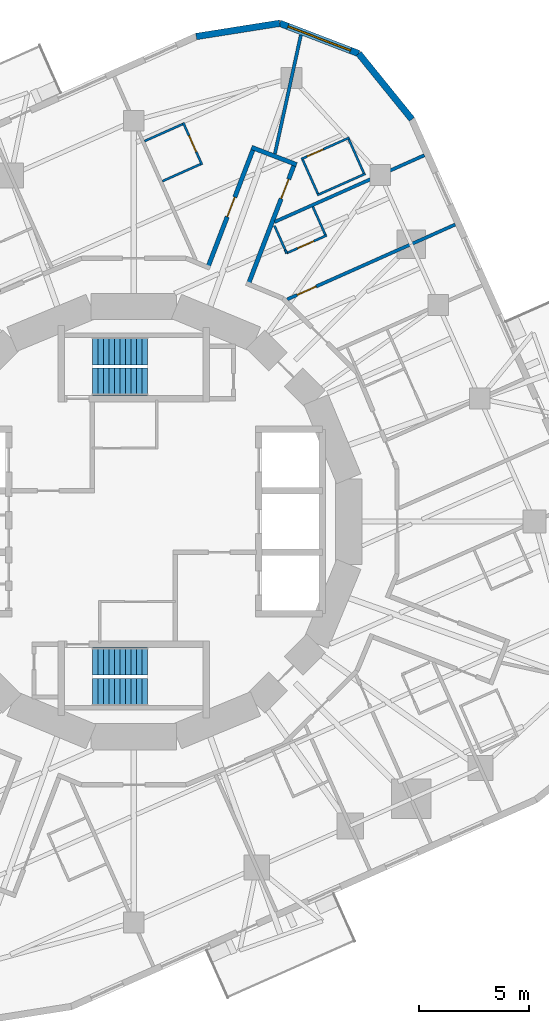
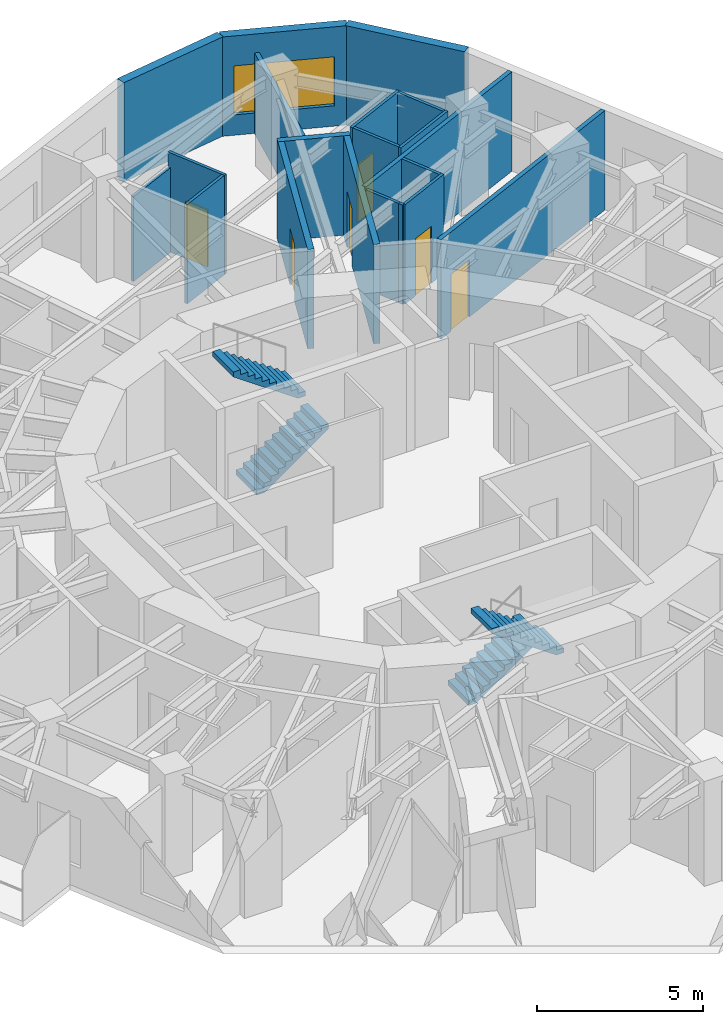
# One storey, part 10 of 12: 20 walls, 6 doors, 4 stair flights, 1 window, 7 openings, 2 elements without a shape of their own.
"""IFC4 building model written with IfcOpenShell, lengths in metres."""

from ifc_helpers import new_model, si_unit, direction, frame, frame_2d, origin, place, context, subcontext, project, spatial, polyline, rectangle, outline, extrude, material, layer, layer_set, type_object, element, fill, aggregate, save


model = new_model("IFC4")

# Units and contexts
model_context = context("Model", 3, precision=1e-05, world=origin(), true_north=direction((0.0, 1.0)))
body_context = subcontext(model_context, "Body", "Model", "MODEL_VIEW")
ifc_project = project(units=[si_unit("LENGTHUNIT", "METRE"), si_unit("AREAUNIT", "SQUARE_METRE"), si_unit("VOLUMEUNIT", "CUBIC_METRE"), si_unit("PLANEANGLEUNIT", "RADIAN"), si_unit("MASSUNIT", "GRAM", prefix="KILO")], contexts=[model_context])

# Site, building, storey
site_placement = place(None, origin())
site = spatial("IfcSite", under=ifc_project, at=site_placement, CompositionType="ELEMENT")
building_placement = place(site_placement, origin())
building = spatial("IfcBuilding", under=site, at=building_placement, Name="Nakasero Lantern House", CompositionType="ELEMENT")
storey_placement = place(building_placement, frame((0.0, 0.0, 201.699951171875)))
storey = spatial("IfcBuildingStorey", under=building, at=storey_placement, Name="L49", CompositionType="ELEMENT", Elevation=201.699951171875)

# Wall, opening, door
ifc_material_1 = material(Name="Blockwork", Category="masonry")
ifc_layer_1 = layer(ifc_material_1, 0.199951171875)
ifc_layer_set_1 = layer_set([ifc_layer_1], Name="Corridor wall 200")
wall_type_1 = type_object("IfcWallType", Name="Corridor wall 200", PredefinedType="PARTITIONING", material=ifc_layer_set_1)
wall_1_placement = place(storey_placement, frame((5.22900390625, 10.831298828125, 0.0), z_axis=(0.0, 0.0, 1.0), x_axis=(0.358357154711, 0.933584570174, 0.0)))
wall_1 = element("IfcWall", 1, at=wall_1_placement, inside=storey, type_object=wall_type_1, Name="Corridor wall L49 SP0a", PredefinedType="PARTITIONING", context=body_context, shape_type="SweptSolid", body=[
    extrude(rectangle(XDim=5.97216796875, YDim=0.199951171875, at=frame_2d((2.986083984375, 0.0))), origin(), (0.0, 0.0, 1.0), 3.650146484375),
])
opening_1_placement = place(wall_1_placement, frame((4.169921875, 0.0, 0.0)))
opening_1 = element("IfcOpeningElement", 2, at=opening_1_placement, cuts=wall_1, Name="Opening D01", PredefinedType="OPENING", context=body_context, shape_type="SweptSolid", body=[
    extrude(rectangle(XDim=0.949951171875, YDim=2.10009765625, at=frame_2d((0.47509765625, 1.050048828125))), frame((0.0, 0.119873046875, 0.0), z_axis=(0.0, -1.0, 0.0), x_axis=(1.0, 0.0, 0.0)), (0.0, 0.0, 1.0), 0.239990234375),
])
ifc_material_2 = material(Name="Timber C24", Category="wood")
door_type_1 = type_object("IfcDoorType", Name="Bedroom door FD30S 950", OperationType="SINGLE_SWING_LEFT", PredefinedType="DOOR", material=ifc_material_2)
door_1_placement = place(opening_1_placement, origin())
door_1 = element("IfcDoor", 3, at=door_1_placement, inside=storey, type_object=door_type_1, Name="Door L49 D0-06", OperationType="SINGLE_SWING_RIGHT", OverallHeight=2.10009765625, OverallWidth=0.949951171875, PredefinedType="DOOR", context=body_context, shape_type="SweptSolid", body=[
    extrude(rectangle(XDim=0.949951171875, YDim=2.10009765625, at=frame_2d((0.47509765625, 1.050048828125))), frame((0.0, 0.02490234375, 0.0), z_axis=(0.0, -1.0, 0.0), x_axis=(1.0, 0.0, 0.0)), (0.0, 0.0, 1.0), 0.050048828125),
])
fill(opening_1, door_1)

wall_2_placement = place(storey_placement, frame((3.380615234375, 11.596923828125, 0.0), z_axis=(0.0, 0.0, 1.0), x_axis=(0.358362690674, 0.933582445172, 0.0)))
wall_2 = element("IfcWall", 4, at=wall_2_placement, inside=storey, type_object=wall_type_1, Name="Corridor wall L49 SP0b", PredefinedType="PARTITIONING", context=body_context, shape_type="SweptSolid", body=[
    extrude(rectangle(XDim=5.91943359375, YDim=0.199951171875, at=frame_2d((2.959716796875, 0.0))), origin(), (0.0, 0.0, 1.0), 3.650146484375),
])
opening_2_placement = place(wall_2_placement, frame((2.469970703125, 0.0, 0.0)))
opening_2 = element("IfcOpeningElement", 5, at=opening_2_placement, cuts=wall_2, Name="Opening D01", PredefinedType="OPENING", context=body_context, shape_type="SweptSolid", body=[
    extrude(rectangle(XDim=0.949951171875, YDim=2.10009765625, at=frame_2d((0.47509765625, 1.050048828125))), frame((0.0, 0.119873046875, 0.0), z_axis=(0.0, -1.0, 0.0), x_axis=(1.0, 0.0, 0.0)), (0.0, 0.0, 1.0), 0.239990234375),
])
door_2_placement = place(opening_2_placement, origin())
door_2 = element("IfcDoor", 6, at=door_2_placement, inside=storey, type_object=door_type_1, Name="Door L49 D1-00", OperationType="SINGLE_SWING_LEFT", OverallHeight=2.10009765625, OverallWidth=0.949951171875, PredefinedType="DOOR", context=body_context, shape_type="SweptSolid", body=[
    extrude(rectangle(XDim=0.949951171875, YDim=2.10009765625, at=frame_2d((0.47509765625, 1.050048828125))), frame((0.0, 0.02490234375, 0.0), z_axis=(0.0, -1.0, 0.0), x_axis=(1.0, 0.0, 0.0)), (0.0, 0.0, 1.0), 0.050048828125),
])
fill(opening_2, door_2)

# Wall
wall_3_placement = place(storey_placement, frame((7.426513671875, 16.277587890625, 0.0), z_axis=(0.0, 0.0, 1.0), x_axis=(-0.933582812604, 0.358361733464, 0.0)))
element("IfcWall", 7, at=wall_3_placement, inside=storey, type_object=wall_type_1, Name="Corridor wall L49 SP0e", PredefinedType="PARTITIONING", context=body_context, shape_type="SweptSolid", body=[
    extrude(rectangle(XDim=2.19970703125, YDim=0.199951171875, at=frame_2d((1.099853515625, 0.0))), origin(), (0.0, 0.0, 1.0), 3.650146484375),
])

# Wall, opening, door
ifc_material_3 = material(Name="Blockwork", Category="masonry")
ifc_layer_2 = layer(ifc_material_3, 0.10009765625)
ifc_layer_set_2 = layer_set([ifc_layer_2], Name="En-suite wall 100")
wall_type_2 = type_object("IfcWallType", Name="En-suite wall 100", PredefinedType="PARTITIONING", material=ifc_layer_set_2)
wall_4_placement = place(storey_placement, frame((6.974853515625, 12.23974609375, 0.0), z_axis=(0.0, 0.0, 1.0), x_axis=(0.913549606868, 0.406727323635, 0.0)))
wall_4 = element("IfcWall", 8, at=wall_4_placement, inside=storey, type_object=wall_type_2, Name="En-suite wall L49 ES0-05", PredefinedType="PARTITIONING", context=body_context, shape_type="SweptSolid", body=[
    extrude(rectangle(XDim=2.0, YDim=0.10009765625, at=frame_2d((1.0, 0.0))), origin(), (0.0, 0.0, 1.0), 3.650146484375),
])
opening_3_placement = place(wall_4_placement, frame((0.550048828125, 0.0, 0.0)))
opening_3 = element("IfcOpeningElement", 9, at=opening_3_placement, cuts=wall_4, Name="Opening D02", PredefinedType="OPENING", context=body_context, shape_type="SweptSolid", body=[
    extrude(rectangle(XDim=0.800048828125, YDim=2.10009765625, at=frame_2d((0.39990234375, 1.050048828125))), frame((0.0, 0.070068359375, 0.0), z_axis=(0.0, -1.0, 0.0), x_axis=(1.0, 0.0, 0.0)), (0.0, 0.0, 1.0), 0.14013671875),
])
ifc_material_4 = material(Name="Timber C24", Category="wood")
door_type_2 = type_object("IfcDoorType", Name="En-suite door 800", OperationType="SINGLE_SWING_RIGHT", PredefinedType="DOOR", material=ifc_material_4)
door_3_placement = place(opening_3_placement, origin())
door_3 = element("IfcDoor", 10, at=door_3_placement, inside=storey, type_object=door_type_2, Name="Door L49 DE0-05", OperationType="SINGLE_SWING_LEFT", OverallHeight=2.10009765625, OverallWidth=0.800048828125, PredefinedType="DOOR", context=body_context, shape_type="SweptSolid", body=[
    extrude(rectangle(XDim=0.800048828125, YDim=2.10009765625, at=frame_2d((0.39990234375, 1.050048828125))), frame((0.0, 0.02490234375, 0.0), z_axis=(0.0, -1.0, 0.0), x_axis=(1.0, 0.0, 0.0)), (0.0, 0.0, 1.0), 0.050048828125),
])
fill(opening_3, door_3)

# Wall
wall_5_placement = place(storey_placement, frame((8.736083984375, 13.07861328125, 0.0), z_axis=(0.0, 0.0, 1.0), x_axis=(-0.406801678348, 0.9135164993, 0.0)))
element("IfcWall", 11, at=wall_5_placement, inside=storey, type_object=wall_type_2, Name="En-suite wall L49 EE0-05", PredefinedType="PARTITIONING", context=body_context, shape_type="SweptSolid", body=[
    extrude(rectangle(XDim=1.400146484375, YDim=0.10009765625, at=frame_2d((0.7001953125, 0.0))), origin(), (0.0, 0.0, 1.0), 3.650146484375),
])

# Wall, opening, door
wall_6_placement = place(storey_placement, frame((7.63720703125, 16.530029296875, 0.0), z_axis=(0.0, 0.0, 1.0), x_axis=(0.913513461389, 0.406808500233, 0.0)))
wall_6 = element("IfcWall", 12, at=wall_6_placement, inside=storey, type_object=wall_type_2, Name="En-suite wall L49 ES0-06", PredefinedType="PARTITIONING", context=body_context, shape_type="SweptSolid", body=[
    extrude(rectangle(XDim=2.39990234375, YDim=0.10009765625, at=frame_2d((1.199951171875, 0.0))), origin(), (0.0, 0.0, 1.0), 3.650146484375),
])
opening_4_placement = place(wall_6_placement, frame((0.300048828125, 0.0, 0.0)))
opening_4 = element("IfcOpeningElement", 13, at=opening_4_placement, cuts=wall_6, Name="Opening D02", PredefinedType="OPENING", context=body_context, shape_type="SweptSolid", body=[
    extrude(rectangle(XDim=0.800048828125, YDim=2.10009765625, at=frame_2d((0.39990234375, 1.050048828125))), frame((0.0, 0.070068359375, 0.0), z_axis=(0.0, -1.0, 0.0), x_axis=(1.0, 0.0, 0.0)), (0.0, 0.0, 1.0), 0.14013671875),
])
door_4_placement = place(opening_4_placement, origin())
door_4 = element("IfcDoor", 14, at=door_4_placement, inside=storey, type_object=door_type_2, Name="Door L49 DE0-06", OperationType="SINGLE_SWING_LEFT", OverallHeight=2.10009765625, OverallWidth=0.800048828125, PredefinedType="DOOR", context=body_context, shape_type="SweptSolid", body=[
    extrude(rectangle(XDim=0.800048828125, YDim=2.10009765625, at=frame_2d((0.39990234375, 1.050048828125))), frame((0.0, 0.02490234375, 0.0), z_axis=(0.0, -1.0, 0.0), x_axis=(1.0, 0.0, 0.0)), (0.0, 0.0, 1.0), 0.050048828125),
])
fill(opening_4, door_4)

# Walls
wall_7_placement = place(storey_placement, frame((8.369384765625, 14.8857421875, 0.0), z_axis=(0.0, 0.0, 1.0), x_axis=(0.913551263516, 0.406723602621, 0.0)))
element("IfcWall", 15, at=wall_7_placement, inside=storey, type_object=wall_type_2, Name="En-suite wall L49 EV0-06", PredefinedType="PARTITIONING", context=body_context, shape_type="SweptSolid", body=[
    extrude(rectangle(XDim=2.39990234375, YDim=0.10009765625, at=frame_2d((1.199951171875, 0.0))), origin(), (0.0, 0.0, 1.0), 3.650146484375),
])
for number, where, z_axis, x_axis, name in (
    (16, (10.495849609375, 15.88720703125, 0.0), (0.0, 0.0, 1.0), (-0.406724697108, 0.913550776237, 0.0), "En-suite wall L49 EE0-06"),
    (17, (8.39453125, 14.95166015625, 0.0), (0.0, 0.0, 1.0), (-0.406724697108, 0.913550776237, 0.0), "En-suite wall L49 EI0-06"),
):
    element("IfcWall", number, at=place(storey_placement, frame(where, z_axis=z_axis, x_axis=x_axis)), inside=storey, type_object=wall_type_2, Name=name, PredefinedType="PARTITIONING", context=body_context, shape_type="SweptSolid", body=[
        extrude(rectangle(XDim=1.699951171875, YDim=0.10009765625, at=frame_2d((0.85009765625, 0.0))), origin(), (0.0, 0.0, 1.0), 3.650146484375),
    ])

# Wall, opening, door
wall_8_placement = place(storey_placement, frame((3.11083984375, 16.27197265625, 0.0), z_axis=(0.0, 0.0, 1.0), x_axis=(-0.406774771494, 0.913528480824, 0.0)))
wall_8 = element("IfcWall", 18, at=wall_8_placement, inside=storey, type_object=wall_type_2, Name="En-suite wall L49 ES1-00", PredefinedType="PARTITIONING", context=body_context, shape_type="SweptSolid", body=[
    extrude(rectangle(XDim=2.10009765625, YDim=0.10009765625, at=frame_2d((1.050048828125, 0.0))), origin(), (0.0, 0.0, 1.0), 3.650146484375),
])
opening_5_placement = place(wall_8_placement, frame((0.64990234375, 0.0, 0.0)))
opening_5 = element("IfcOpeningElement", 19, at=opening_5_placement, cuts=wall_8, Name="Opening D02", PredefinedType="OPENING", context=body_context, shape_type="SweptSolid", body=[
    extrude(rectangle(XDim=0.800048828125, YDim=2.10009765625, at=frame_2d((0.39990234375, 1.050048828125))), frame((0.0, 0.070068359375, 0.0), z_axis=(0.0, -1.0, 0.0), x_axis=(1.0, 0.0, 0.0)), (0.0, 0.0, 1.0), 0.14013671875),
])
door_5_placement = place(opening_5_placement, origin())
door_5 = element("IfcDoor", 20, at=door_5_placement, inside=storey, type_object=door_type_2, Name="Door L49 DE1-00", OperationType="SINGLE_SWING_RIGHT", OverallHeight=2.10009765625, OverallWidth=0.800048828125, PredefinedType="DOOR", context=body_context, shape_type="SweptSolid", body=[
    extrude(rectangle(XDim=0.800048828125, YDim=2.10009765625, at=frame_2d((0.39990234375, 1.050048828125))), frame((0.0, 0.02490234375, 0.0), z_axis=(0.0, -1.0, 0.0), x_axis=(1.0, 0.0, 0.0)), (0.0, 0.0, 1.0), 0.050048828125),
])
fill(opening_5, door_5)

# Walls
wall_9_placement = place(storey_placement, frame((2.2314453125, 18.12451171875, 0.0), z_axis=(0.0, 0.0, 1.0), x_axis=(-0.913572953725, -0.406674880245, 0.0)))
element("IfcWall", 21, at=wall_9_placement, inside=storey, type_object=wall_type_2, Name="En-suite wall L49 EE1-00", PredefinedType="PARTITIONING", context=body_context, shape_type="SweptSolid", body=[
    extrude(rectangle(XDim=1.900146484375, YDim=0.10009765625, at=frame_2d((0.9501953125, 0.0))), origin(), (0.0, 0.0, 1.0), 3.11328125),
])
wall_10_placement = place(storey_placement, frame((3.044677734375, 16.29736328125, 0.0), z_axis=(0.0, 0.0, 1.0), x_axis=(-0.913551699523, -0.406722623293, 0.0)))
element("IfcWall", 22, at=wall_10_placement, inside=storey, type_object=wall_type_2, Name="En-suite wall L49 EI1-00", PredefinedType="PARTITIONING", context=body_context, shape_type="SweptSolid", body=[
    extrude(rectangle(XDim=1.89990234375, YDim=0.10009765625, at=frame_2d((0.949951171875, 0.0))), origin(), (0.0, 0.0, 1.0), 3.650146484375),
])
wall_11_placement = place(storey_placement, frame((6.419677734375, 13.48681640625, 0.0), z_axis=(0.0, 0.0, 1.0), x_axis=(0.406815070933, -0.913510535277, 0.0)))
element("IfcWall", 23, at=wall_11_placement, inside=storey, type_object=wall_type_2, Name="En-suite wall L49 EX000", PredefinedType="PARTITIONING", context=body_context, shape_type="SweptSolid", body=[
    extrude(rectangle(XDim=1.205078125, YDim=0.10009765625, at=frame_2d((0.6025390625, 0.0))), origin(), (0.0, 0.0, 1.0), 3.650146484375),
])
wall_12_placement = place(storey_placement, frame((6.974853515625, 12.23974609375, 0.0), z_axis=(0.0, 0.0, 1.0), x_axis=(-0.405855313637, 0.913937341612, 0.0)))
element("IfcWall", 24, at=wall_12_placement, inside=storey, type_object=wall_type_2, Name="En-suite wall L49 ES0-05R0", PredefinedType="PARTITIONING", context=body_context, shape_type="SweptSolid", body=[
    extrude(rectangle(XDim=0.159912109375, YDim=0.10009765625, at=frame_2d((0.080078125, 0.0))), origin(), (0.0, 0.0, 1.0), 3.650146484375),
])
ifc_material_5 = material(Name="Aluminium rainscreen on blockwork", Category="masonry")
ifc_layer_3 = layer(ifc_material_5, 0.300048828125)
ifc_layer_set_3 = layer_set([ifc_layer_3], Name="Facade wall 300")
wall_type_3 = type_object("IfcWallType", Name="Facade wall 300", PredefinedType="SOLIDWALL", material=ifc_layer_set_3)
wall_13_placement = place(storey_placement, frame((12.684814453125, 18.345458984375, 0.0), z_axis=(0.0, 0.0, 1.0), x_axis=(-0.629285642335, 0.777174099125, 0.0)))
element("IfcWall", 25, at=wall_13_placement, inside=storey, type_object=wall_type_3, Name="Facade wall L49 FW0C1", PredefinedType="SOLIDWALL", context=body_context, shape_type="SweptSolid", body=[
    extrude(rectangle(XDim=3.8564453125, YDim=0.300048828125, at=frame_2d((1.92822265625, 0.0))), origin(), (0.0, 0.0, 1.0), 3.650146484375),
])

# Wall, opening, window
wall_14_placement = place(storey_placement, frame((10.258056640625, 21.342529296875, 0.0), z_axis=(0.0, 0.0, 1.0), x_axis=(-0.933598278948, 0.358321438858, 0.0)))
wall_14 = element("IfcWall", 26, at=wall_14_placement, inside=storey, type_object=wall_type_3, Name="Facade wall L49 FW0C2", PredefinedType="SOLIDWALL", context=body_context, shape_type="SweptSolid", body=[
    extrude(rectangle(XDim=3.8564453125, YDim=0.300048828125, at=frame_2d((1.92822265625, 0.0))), origin(), (0.0, 0.0, 1.0), 3.650146484375),
])
opening_6_placement = place(wall_14_placement, frame((0.39990234375, 0.0, 0.75)))
opening_6 = element("IfcOpeningElement", 27, at=opening_6_placement, cuts=wall_14, Name="Opening W230", PredefinedType="OPENING", context=body_context, shape_type="SweptSolid", body=[
    extrude(rectangle(XDim=3.055908203125, YDim=1.800048828125, at=frame_2d((1.52783203125, 0.89990234375))), frame((0.0, 0.169921875, 0.0), z_axis=(0.0, -1.0, 0.0), x_axis=(1.0, 0.0, 0.0)), (0.0, 0.0, 1.0), 0.340087890625),
])
ifc_material_6 = material(Name="Aluminium 6063-T6 and glass", Category="aluminium")
window_type = type_object("IfcWindowType", Name="Corner window 3056x1800", PartitioningType="SINGLE_PANEL", PredefinedType="WINDOW", material=ifc_material_6)
window_placement = place(opening_6_placement, origin())
window = element("IfcWindow", 28, at=window_placement, inside=storey, type_object=window_type, Name="Window L49 WC0", OverallHeight=1.800048828125, OverallWidth=3.055908203125, PartitioningType="SINGLE_PANEL", PredefinedType="WINDOW", context=body_context, shape_type="SweptSolid", body=[
    extrude(rectangle(XDim=3.055908203125, YDim=1.800048828125, at=frame_2d((1.52783203125, 0.89990234375))), frame((0.0, 0.030029296875, 0.0), z_axis=(0.0, -1.0, 0.0), x_axis=(1.0, 0.0, 0.0)), (0.0, 0.0, 1.0), 0.06005859375),
])
fill(opening_6, window)

# Wall
wall_15_placement = place(storey_placement, frame((6.65771484375, 22.724365234375, 0.0), z_axis=(0.0, 0.0, 1.0), x_axis=(-0.987687906802, -0.156437203878, 0.0)))
element("IfcWall", 29, at=wall_15_placement, inside=storey, type_object=wall_type_3, Name="Facade wall L49 FW0C3", PredefinedType="SOLIDWALL", context=body_context, shape_type="SweptSolid", body=[
    extrude(rectangle(XDim=3.856201171875, YDim=0.300048828125, at=frame_2d((1.92822265625, 0.0))), origin(), (0.0, 0.0, 1.0), 3.650146484375),
])

# Wall, opening, door
ifc_material_7 = material(Name="Blockwork", Category="masonry")
ifc_layer_4 = layer(ifc_material_7, 0.14990234375)
ifc_layer_set_4 = layer_set([ifc_layer_4], Name="Party wall 150")
wall_type_4 = type_object("IfcWallType", Name="Party wall 150", PredefinedType="PARTITIONING", material=ifc_layer_set_4)
wall_16_placement = place(storey_placement, frame((6.99267578125, 10.130615234375, 0.0), z_axis=(0.0, 0.0, 1.0), x_axis=(0.913547411288, 0.406732255089, 0.0)))
wall_16 = element("IfcWall", 30, at=wall_16_placement, inside=storey, type_object=wall_type_4, Name="Party wall L49 PW0-05", PredefinedType="PARTITIONING", context=body_context, shape_type="SweptSolid", body=[
    extrude(rectangle(XDim=8.3916015625, YDim=0.14990234375, at=frame_2d((4.19580078125, 0.0))), origin(), (0.0, 0.0, 1.0), 3.650146484375),
])
opening_7_placement = place(wall_16_placement, frame((0.5, 0.0, 0.0)))
opening_7 = element("IfcOpeningElement", 31, at=opening_7_placement, cuts=wall_16, Name="Opening D01", PredefinedType="OPENING", context=body_context, shape_type="SweptSolid", body=[
    extrude(rectangle(XDim=0.949951171875, YDim=2.10009765625, at=frame_2d((0.47509765625, 1.050048828125))), frame((0.0, 0.094970703125, 0.0), z_axis=(0.0, -1.0, 0.0), x_axis=(1.0, 0.0, 0.0)), (0.0, 0.0, 1.0), 0.18994140625),
])
door_6_placement = place(opening_7_placement, origin())
door_6 = element("IfcDoor", 32, at=door_6_placement, inside=storey, type_object=door_type_1, Name="Door L49 DS0-05", OperationType="SINGLE_SWING_LEFT", OverallHeight=2.10009765625, OverallWidth=0.949951171875, PredefinedType="DOOR", context=body_context, shape_type="SweptSolid", body=[
    extrude(rectangle(XDim=0.949951171875, YDim=2.10009765625, at=frame_2d((0.47509765625, 1.050048828125))), frame((0.0, 0.02490234375, 0.0), z_axis=(0.0, -1.0, 0.0), x_axis=(1.0, 0.0, 0.0)), (0.0, 0.0, 1.0), 0.050048828125),
])
fill(opening_7, door_6)

# Walls
wall_17_placement = place(storey_placement, frame((6.423095703125, 13.663330078125, 0.0), z_axis=(0.0, 0.0, 1.0), x_axis=(0.913546019887, 0.406735380252, 0.0)))
element("IfcWall", 33, at=wall_17_placement, inside=storey, type_object=wall_type_4, Name="Party wall L49 PW0-06", PredefinedType="PARTITIONING", context=body_context, shape_type="SweptSolid", body=[
    extrude(rectangle(XDim=7.474853515625, YDim=0.14990234375, at=frame_2d((3.7373046875, 0.0))), origin(), (0.0, 0.0, 1.0), 3.650146484375),
])
wall_18_placement = place(storey_placement, frame((6.435546875, 16.76513671875, 0.0), z_axis=(0.0, 0.0, 1.0), x_axis=(0.213734913997, 0.976891696422, 0.0)))
element("IfcWall", 34, at=wall_18_placement, inside=storey, type_object=wall_type_4, Name="Party wall L49 PW1-00", PredefinedType="PARTITIONING", context=body_context, shape_type="SweptSolid", body=[
    extrude(rectangle(XDim=5.55126953125, YDim=0.14990234375, at=frame_2d((2.775634765625, 0.0))), origin(), (0.0, 0.0, 1.0), 2.966552734375),
])

# Stair, stair flights
ifc_material_8 = material(Name="Concrete C40/50", Category="concrete")
stair_type_1 = type_object("IfcStairType", Name="Escape stair ST1 22 risers", PredefinedType="HALF_TURN_STAIR", material=ifc_material_8)
stair_1_placement = place(storey_placement, origin())
stair_1 = element("IfcStair", 35, at=stair_1_placement, inside=storey, type_object=stair_type_1, Name="Escape stair ST1 L49", PredefinedType="HALF_TURN_STAIR")
ifc_material_9 = material(Name="Concrete C40/50", Category="concrete")
stair_flight_type = type_object("IfcStairFlightType", Name="Escape stair flight", PredefinedType="STRAIGHT", material=ifc_material_9)
stair_flight_1_placement = place(storey_placement, frame((-1.875, 6.375, 0.0), z_axis=(0.0, 0.0, 1.0), x_axis=(1.0, 0.0, 0.0)))
stair_flight_1 = element("IfcStairFlight", 36, at=stair_flight_1_placement, type_object=stair_flight_type, Name="ST1 flight 1", NumberOfRisers=11, NumberOfTreads=10, PredefinedType="STRAIGHT", RiserHeight=0.175, TreadLength=0.25, context=body_context, shape_type="SweptSolid", body=[
    extrude(outline(polyline([(0.0, 0.0), (0.0, 0.175048828125), (0.25, 0.175048828125), (0.25, 0.35009765625), (0.5, 0.35009765625), (0.5, 0.52490234375), (0.75, 0.52490234375), (0.75, 0.699951171875), (1.0, 0.699951171875), (1.0, 0.875), (1.25, 0.875), (1.25, 1.050048828125), (1.5, 1.050048828125), (1.5, 1.22509765625), (1.75, 1.22509765625), (1.75, 1.39990234375), (2.0, 1.39990234375), (2.0, 1.574951171875), (2.25, 1.574951171875), (2.25, 1.75), (2.5, 1.75), (2.5, 1.925048828125), (2.5, 1.567138671875), (0.261474609375, 0.0), (0.0, 0.0)])), frame((0.0, 0.625, 0.0), z_axis=(0.0, -1.0, 0.0), x_axis=(1.0, 0.0, 0.0)), (0.0, 0.0, 1.0), 1.25),
])
stair_flight_2_placement = place(storey_placement, frame((0.625, 7.77490234375, 1.925048828125), z_axis=(0.0, 0.0, 1.0), x_axis=(-1.0, 0.0, 0.0)))
stair_flight_2 = element("IfcStairFlight", 37, at=stair_flight_2_placement, type_object=stair_flight_type, Name="ST1 flight 2", NumberOfRisers=11, NumberOfTreads=10, PredefinedType="STRAIGHT", RiserHeight=0.175, TreadLength=0.25, context=body_context, shape_type="SweptSolid", body=[
    extrude(outline(polyline([(0.0, 0.0), (0.0, 0.175048828125), (0.25, 0.175048828125), (0.25, 0.35009765625), (0.5, 0.35009765625), (0.5, 0.52490234375), (0.75, 0.52490234375), (0.75, 0.699951171875), (1.0, 0.699951171875), (1.0, 0.875), (1.25, 0.875), (1.25, 1.050048828125), (1.5, 1.050048828125), (1.5, 1.22509765625), (1.75, 1.22509765625), (1.75, 1.39990234375), (2.0, 1.39990234375), (2.0, 1.574951171875), (2.25, 1.574951171875), (2.25, 1.75), (2.5, 1.75), (2.5, 1.925048828125), (2.5, 1.567138671875), (0.261474609375, 0.0), (0.0, 0.0)])), frame((0.0, 0.625, 0.0), z_axis=(0.0, -1.0, 0.0), x_axis=(1.0, 0.0, 0.0)), (0.0, 0.0, 1.0), 1.25),
])
aggregate(stair_1, [stair_flight_1, stair_flight_2])

ifc_material_10 = material(Name="Concrete C40/50", Category="concrete")
stair_type_2 = type_object("IfcStairType", Name="Escape stair ST2 22 risers", PredefinedType="HALF_TURN_STAIR", material=ifc_material_10)
stair_2_placement = place(storey_placement, origin())
stair_2 = element("IfcStair", 38, at=stair_2_placement, inside=storey, type_object=stair_type_2, Name="Escape stair ST2 L49", PredefinedType="HALF_TURN_STAIR")
stair_flight_3_placement = place(storey_placement, frame((-1.875, -6.375, 0.0), z_axis=(0.0, 0.0, 1.0), x_axis=(1.0, 0.0, 0.0)))
stair_flight_3 = element("IfcStairFlight", 39, at=stair_flight_3_placement, type_object=stair_flight_type, Name="ST2 flight 1", NumberOfRisers=11, NumberOfTreads=10, PredefinedType="STRAIGHT", RiserHeight=0.175, TreadLength=0.25, context=body_context, shape_type="SweptSolid", body=[
    extrude(outline(polyline([(0.0, 0.0), (0.0, 0.175048828125), (0.25, 0.175048828125), (0.25, 0.35009765625), (0.5, 0.35009765625), (0.5, 0.52490234375), (0.75, 0.52490234375), (0.75, 0.699951171875), (1.0, 0.699951171875), (1.0, 0.875), (1.25, 0.875), (1.25, 1.050048828125), (1.5, 1.050048828125), (1.5, 1.22509765625), (1.75, 1.22509765625), (1.75, 1.39990234375), (2.0, 1.39990234375), (2.0, 1.574951171875), (2.25, 1.574951171875), (2.25, 1.75), (2.5, 1.75), (2.5, 1.925048828125), (2.5, 1.567138671875), (0.261474609375, 0.0), (0.0, 0.0)])), frame((0.0, 0.625, 0.0), z_axis=(0.0, -1.0, 0.0), x_axis=(1.0, 0.0, 0.0)), (0.0, 0.0, 1.0), 1.25),
])
stair_flight_4_placement = place(storey_placement, frame((0.625, -7.77490234375, 1.925048828125), z_axis=(0.0, 0.0, 1.0), x_axis=(-1.0, 0.0, 0.0)))
stair_flight_4 = element("IfcStairFlight", 40, at=stair_flight_4_placement, type_object=stair_flight_type, Name="ST2 flight 2", NumberOfRisers=11, NumberOfTreads=10, PredefinedType="STRAIGHT", RiserHeight=0.175, TreadLength=0.25, context=body_context, shape_type="SweptSolid", body=[
    extrude(outline(polyline([(0.0, 0.0), (0.0, 0.175048828125), (0.25, 0.175048828125), (0.25, 0.35009765625), (0.5, 0.35009765625), (0.5, 0.52490234375), (0.75, 0.52490234375), (0.75, 0.699951171875), (1.0, 0.699951171875), (1.0, 0.875), (1.25, 0.875), (1.25, 1.050048828125), (1.5, 1.050048828125), (1.5, 1.22509765625), (1.75, 1.22509765625), (1.75, 1.39990234375), (2.0, 1.39990234375), (2.0, 1.574951171875), (2.25, 1.574951171875), (2.25, 1.75), (2.5, 1.75), (2.5, 1.925048828125), (2.5, 1.567138671875), (0.261474609375, 0.0), (0.0, 0.0)])), frame((0.0, 0.625, 0.0), z_axis=(0.0, -1.0, 0.0), x_axis=(1.0, 0.0, 0.0)), (0.0, 0.0, 1.0), 1.25),
])
aggregate(stair_2, [stair_flight_3, stair_flight_4])

save(model, "model.ifc")
